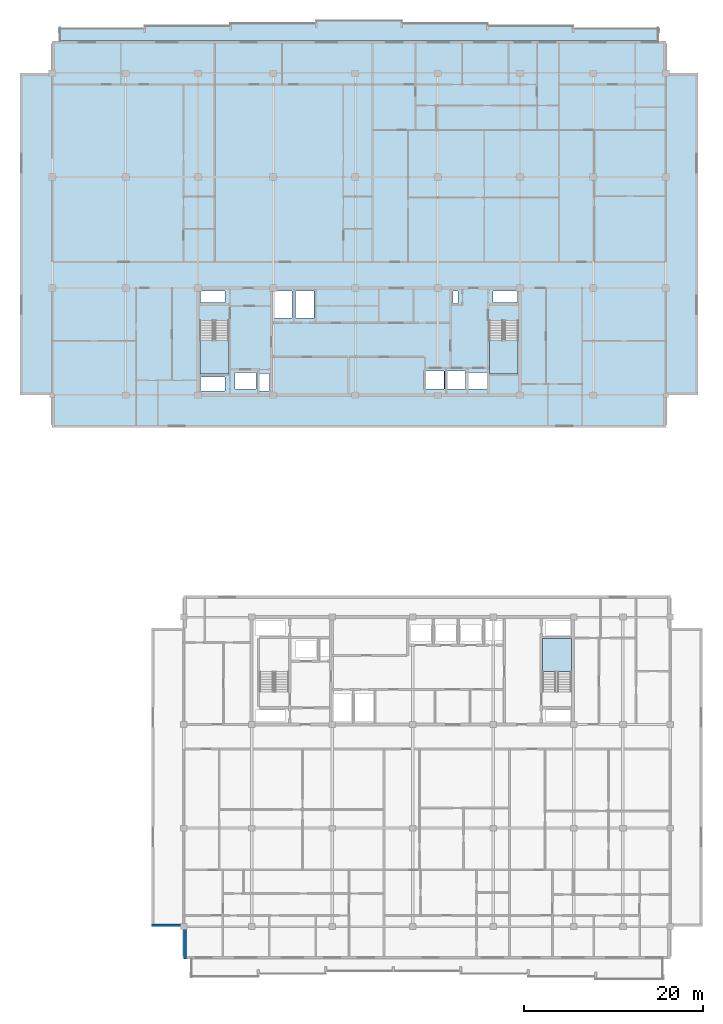
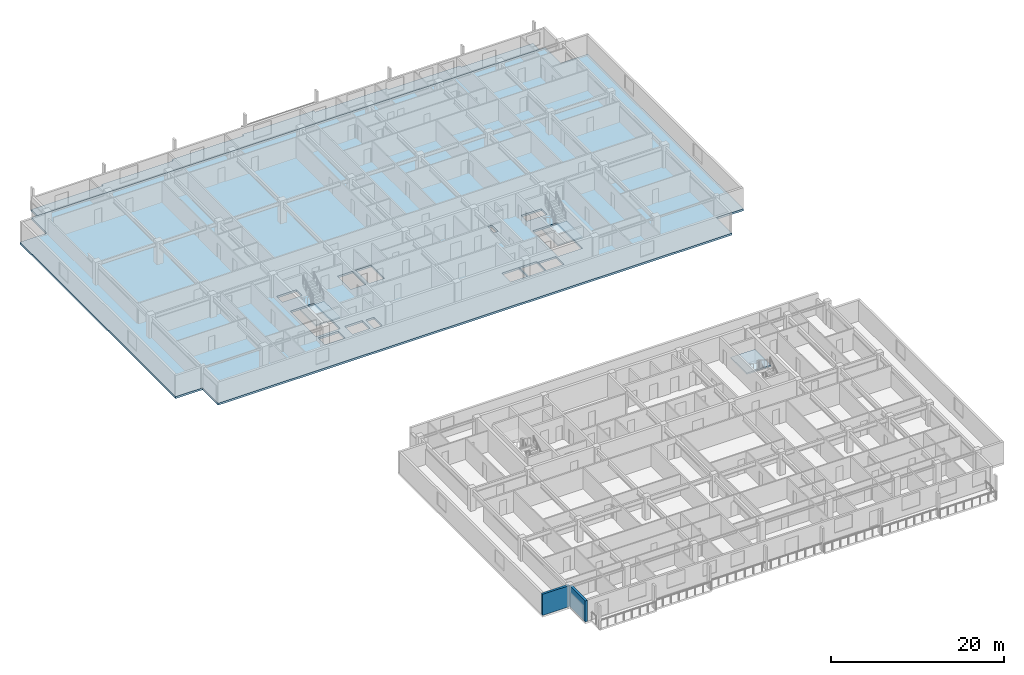
# One storey, part 3 of 22: 5 slabs, 2 walls, 3 elements without a shape of their own.
"""IFC4 building model written with IfcOpenShell, lengths in metres."""

from ifc_helpers import new_model, si_unit, direction, frame, frame_2d, origin, place, context, subcontext, project, spatial, polyline, rectangle, outline, extrude, material, layer, layer_set, type_object, element, aggregate, save


model = new_model("IFC4")

# Units and contexts
model_context = context("Model", 3, precision=1e-05, world=origin(), true_north=direction((0.0, 1.0)))
body_context = subcontext(model_context, "Body", "Model", "MODEL_VIEW")
ifc_project = project(units=[si_unit("LENGTHUNIT", "METRE"), si_unit("AREAUNIT", "SQUARE_METRE"), si_unit("VOLUMEUNIT", "CUBIC_METRE"), si_unit("PLANEANGLEUNIT", "RADIAN"), si_unit("MASSUNIT", "GRAM", prefix="KILO")], contexts=[model_context])

# Site, building, storey
site_placement = place(None, origin())
site = spatial("IfcSite", under=ifc_project, at=site_placement, CompositionType="ELEMENT")
building_placement = place(site_placement, origin())
building = spatial("IfcBuilding", under=site, at=building_placement, Name="Korimba Cascade Residences", CompositionType="ELEMENT")
storey_placement = place(building_placement, frame((0.0, 0.0, 194.60009765625)))
storey = spatial("IfcBuildingStorey", under=building, at=storey_placement, Name="L56", CompositionType="ELEMENT", Elevation=194.60009765625)

# Stair, slab
ifc_material_1 = material(Name="Concrete C50/60", Category="concrete")
stair_type_1 = type_object("IfcStairType", Name="STR-W1-18R-1806", PredefinedType="HALF_TURN_STAIR", material=ifc_material_1)
stair_1_placement = place(storey_placement, origin())
stair_1 = element("IfcStair", 1, at=stair_1_placement, inside=storey, type_object=stair_type_1, Name="L56 Tower 1 West Fire Stair ST-W1", PredefinedType="HALF_TURN_STAIR")
ifc_layer_1 = layer(ifc_material_1, 0.199951171875)
ifc_layer_set_1 = layer_set([ifc_layer_1], Name="Concrete C50/60")
slab_type_1 = type_object("IfcSlabType", Name="SLB-LND-220", PredefinedType="LANDING", material=ifc_layer_set_1)
slab_1_placement = place(storey_placement, frame((0.0, 0.0, 1.4248046875)))
slab_1 = element("IfcSlab", 2, at=slab_1_placement, type_object=slab_type_1, Name="ST-W1 landing 1", PredefinedType="LANDING", context=body_context, shape_type="SweptSolid", body=[
    extrude(outline(polyline([(76.300048828125, 61.31005859375), (76.300048828125, 57.60009765625), (79.5400390625, 57.60009765625), (79.5400390625, 61.31005859375), (76.300048828125, 61.31005859375)])), origin(), (0.0, 0.0, 1.0), 0.2001953125),
])
aggregate(stair_1, [slab_1])

stair_type_2 = type_object("IfcStairType", Name="STR-W2-18R-1806", PredefinedType="HALF_TURN_STAIR", material=ifc_material_1)
stair_2_placement = place(storey_placement, origin())
stair_2 = element("IfcStair", 3, at=stair_2_placement, inside=storey, type_object=stair_type_2, Name="L56 Tower 1 East Fire Stair ST-W2", PredefinedType="HALF_TURN_STAIR")
slab_2_placement = place(storey_placement, frame((0.0, 0.0, 1.4248046875)))
slab_2 = element("IfcSlab", 4, at=slab_2_placement, type_object=slab_type_1, Name="ST-W2 landing 1", PredefinedType="LANDING", context=body_context, shape_type="SweptSolid", body=[
    extrude(outline(polyline([(108.659912109375, 61.31005859375), (108.659912109375, 57.60009765625), (111.89990234375, 57.60009765625), (111.89990234375, 61.31005859375), (108.659912109375, 61.31005859375)])), origin(), (0.0, 0.0, 1.0), 0.2001953125),
])
aggregate(stair_2, [slab_2])

stair_type_3 = type_object("IfcStairType", Name="STR-E2-18R-1806", PredefinedType="HALF_TURN_STAIR", material=ifc_material_1)
stair_3_placement = place(storey_placement, origin())
stair_3 = element("IfcStair", 5, at=stair_3_placement, inside=storey, type_object=stair_type_3, Name="L56 Tower 2 East Fire Stair ST-E2", PredefinedType="HALF_TURN_STAIR")
slab_3_placement = place(storey_placement, frame((0.0, 0.0, 1.4248046875)))
slab_3 = element("IfcSlab", 6, at=slab_3_placement, type_object=slab_type_1, Name="ST-E2 landing 1", PredefinedType="LANDING", context=body_context, shape_type="SweptSolid", body=[
    extrude(outline(polyline([(117.840087890625, 24.2900390625), (117.840087890625, 28.0), (114.60009765625, 28.0), (114.60009765625, 24.2900390625), (117.840087890625, 24.2900390625)])), origin(), (0.0, 0.0, 1.0), 0.2001953125),
])
aggregate(stair_3, [slab_3])

# Slabs
ifc_material_2 = material(Name="Precast concrete C40/50", Category="concrete")
ifc_layer_2 = layer(ifc_material_2, 0.239990234375)
ifc_layer_set_2 = layer_set([ifc_layer_2], Name="Precast concrete C40/50")
slab_type_2 = type_object("IfcSlabType", Name="SLB-LOG-240", PredefinedType="FLOOR", material=ifc_layer_set_2)
slab_4_placement = place(storey_placement, frame((0.0, 0.0, -0.239990234375)))
element("IfcSlab", 7, at=slab_4_placement, inside=storey, type_object=slab_type_2, Name="L56 Tower 1 North Loggia Slab", PredefinedType="FLOOR", context=body_context, shape_type="SweptSolid", body=[
    extrude(outline(polyline([(60.60009765625, 94.800048828125), (127.60009765625, 94.800048828125), (127.60009765625, 96.25), (118.028564453125, 96.25), (118.028564453125, 96.550048828125), (108.45703125, 96.550048828125), (108.45703125, 96.85009765625), (98.8857421875, 96.85009765625), (98.8857421875, 97.14990234375), (89.314208984375, 97.14990234375), (89.314208984375, 96.85009765625), (79.742919921875, 96.85009765625), (79.742919921875, 96.550048828125), (70.17138671875, 96.550048828125), (70.17138671875, 96.25), (60.60009765625, 96.25), (60.60009765625, 94.800048828125)])), origin(), (0.0, 0.0, 1.0), 0.239990234375),
])
ifc_layer_3 = layer(ifc_material_1, 0.280029296875)
ifc_layer_set_3 = layer_set([ifc_layer_3], Name="Concrete C50/60")
slab_type_3 = type_object("IfcSlabType", Name="SLB-TYP-280", PredefinedType="FLOOR", material=ifc_layer_set_3)
slab_5_placement = place(storey_placement, frame((0.0, 0.0, -0.280029296875)))
element("IfcSlab", 8, at=slab_5_placement, inside=storey, type_object=slab_type_3, Name="L56 Tower 1 Floor Slab", PredefinedType="FLOOR", context=body_context, shape_type="SweptSolid", body=[
    extrude(outline(polyline([(59.800048828125, 51.60009765625), (128.39990234375, 51.60009765625), (128.39990234375, 55.199951171875), (132.0, 55.199951171875), (132.0, 91.199951171875), (128.39990234375, 91.199951171875), (128.39990234375, 94.800048828125), (59.800048828125, 94.800048828125), (59.800048828125, 91.199951171875), (56.199951171875, 91.199951171875), (56.199951171875, 55.199951171875), (59.800048828125, 55.199951171875), (59.800048828125, 51.60009765625)]), holes=[polyline([(76.300048828125, 63.514892578125), (76.300048828125, 57.60009765625), (79.5400390625, 57.60009765625), (79.5400390625, 63.514892578125), (76.300048828125, 63.514892578125)]), polyline([(108.659912109375, 63.514892578125), (108.659912109375, 57.60009765625), (111.89990234375, 57.60009765625), (111.89990234375, 63.514892578125), (108.659912109375, 63.514892578125)]), polyline([(80.22998046875, 55.8798828125), (82.570068359375, 55.8798828125), (82.570068359375, 57.719970703125), (80.22998046875, 57.719970703125), (80.22998046875, 55.8798828125)]), polyline([(106.080078125, 55.8798828125), (108.419921875, 55.8798828125), (108.419921875, 57.719970703125), (106.080078125, 57.719970703125), (106.080078125, 55.8798828125)]), polyline([(101.304931640625, 55.8798828125), (103.594970703125, 55.8798828125), (103.594970703125, 57.919921875), (101.304931640625, 57.919921875), (101.304931640625, 55.8798828125)]), polyline([(103.705078125, 55.8798828125), (105.9951171875, 55.8798828125), (105.9951171875, 57.919921875), (103.705078125, 57.919921875), (103.705078125, 55.8798828125)]), polyline([(82.97998046875, 55.679931640625), (84.080078125, 55.679931640625), (84.080078125, 57.6201171875), (82.97998046875, 57.6201171875), (82.97998046875, 55.679931640625)]), polyline([(76.39990234375, 65.56005859375), (79.10009765625, 65.56005859375), (79.10009765625, 66.8798828125), (76.39990234375, 66.8798828125), (76.39990234375, 65.56005859375)]), polyline([(76.39990234375, 55.679931640625), (79.10009765625, 55.679931640625), (79.10009765625, 57.239990234375), (76.39990234375, 57.239990234375), (76.39990234375, 55.679931640625)]), polyline([(84.530029296875, 63.820068359375), (86.6201171875, 63.820068359375), (86.6201171875, 66.8798828125), (84.530029296875, 66.8798828125), (84.530029296875, 63.820068359375)]), polyline([(86.97998046875, 63.820068359375), (89.070068359375, 63.820068359375), (89.070068359375, 66.8798828125), (86.97998046875, 66.8798828125), (86.97998046875, 63.820068359375)]), polyline([(104.6201171875, 65.4599609375), (105.179931640625, 65.4599609375), (105.179931640625, 66.8798828125), (104.6201171875, 66.8798828125), (104.6201171875, 65.4599609375)]), polyline([(109.080078125, 65.56005859375), (111.800048828125, 65.56005859375), (111.800048828125, 66.8798828125), (109.080078125, 66.8798828125), (109.080078125, 65.56005859375)])]), origin(), (0.0, 0.0, 1.0), 0.280029296875),
])

# Walls
ifc_layer_4 = layer(ifc_material_2, 0.300048828125)
ifc_layer_set_4 = layer_set([ifc_layer_4], Name="Precast concrete C40/50")
wall_type = type_object("IfcWallType", Name="EW-STONE-300", PredefinedType="STANDARD", material=ifc_layer_set_4)
for number, where, z_axis, x_axis, name in (
    (9, (70.89990234375, -4.050048828125, 0.0), (0.0, 0.0, 1.0), (1.0, 0.0, 0.0), "L56 T2 Perimeter Stone Wall E10"),
    (10, (74.64990234375, -4.199951171875, 0.0), (0.0, 0.0, 1.0), (0.0, -1.0, 0.0), "L56 T2 Perimeter Stone Wall E11"),
):
    element("IfcWall", number, at=place(storey_placement, frame(where, z_axis=z_axis, x_axis=x_axis)), inside=storey, type_object=wall_type, Name=name, PredefinedType="STANDARD", context=body_context, shape_type="SweptSolid", body=[
        extrude(rectangle(XDim=3.60009765625, YDim=0.300048828125, at=frame_2d((1.800048828125, 0.0))), origin(), (0.0, 0.0, 1.0), 2.969970703125),
    ])

save(model, "model.ifc")
